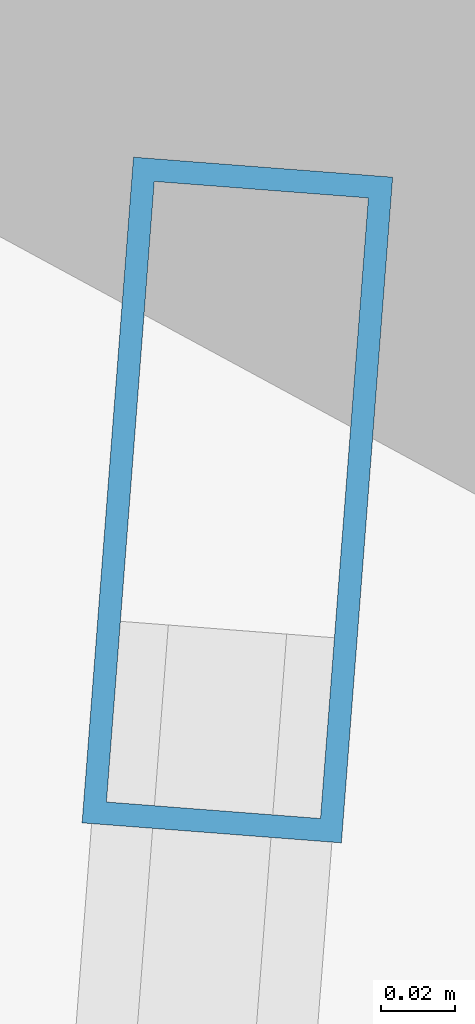
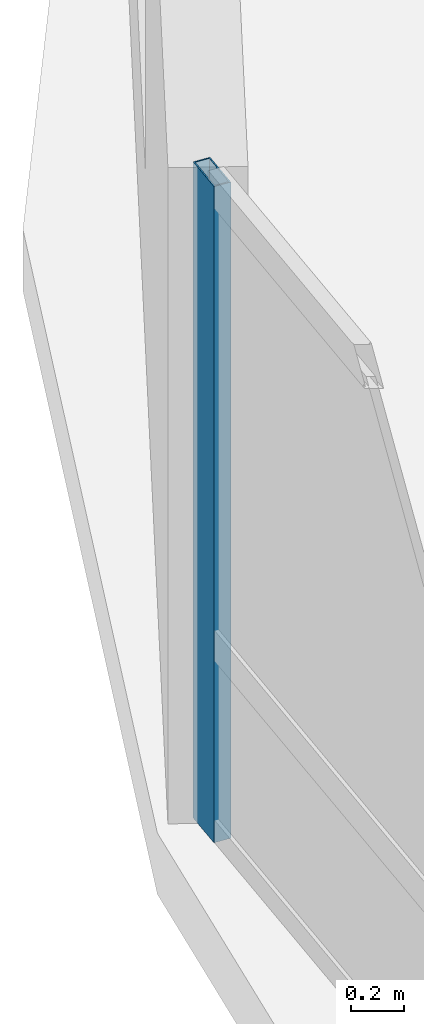
# One storey, part 6 of 17: 1 member, 1 element without a shape of its own.
"""IFC4 building model written with IfcOpenShell, lengths in metres."""

import ifcopenshell
import ifcopenshell.guid

model = None  # the IFC model being written
_history = None  # IfcOwnerHistory: only IFC2X3 demands one
_inside = {}  # id of a spatial element -> (the spatial element, [elements in it])
_under = {}  # id of a project, library or spatial element -> (it, [spatial elements below it])
_declared = {}  # id of a project -> (the project, [libraries it declares])
_typed = {}  # id of a type object -> (the type object, [elements of that type])
_made_of = {}  # id of a material, layer set ... -> (it, [elements and type objects made of it])


def new_model(schema):
    """Start an empty IFC model of exactly this schema.

    Asked for "IFC4X3", IfcOpenShell would pick the latest addendum, in which some entities
    have other attributes; the version numbers below select the first issue.
    IFC2X3 requires an IfcOwnerHistory on every rooted entity: one is made here for all.
    """
    global model, _history
    if schema == "IFC4X3":
        model = ifcopenshell.file(schema_version=(4, 3, 0, 0))
    else:
        model = ifcopenshell.file(schema=schema)
    _inside.clear()
    _under.clear()
    _declared.clear()
    _typed.clear()
    _made_of.clear()
    _history = None
    if model.schema == "IFC2X3":
        org = make("IfcOrganization", Name="unknown")
        user = make(
            "IfcPersonAndOrganization",
            ThePerson=make("IfcPerson", FamilyName="unknown"),
            TheOrganization=org,
        )
        app = make(
            "IfcApplication",
            ApplicationDeveloper=org,
            Version="unknown",
            ApplicationFullName="unknown",
            ApplicationIdentifier="unknown",
        )
        _history = make(
            "IfcOwnerHistory",
            OwningUser=user,
            OwningApplication=app,
            ChangeAction="ADDED",
            CreationDate=0,
        )
    return model


def make(cls, **values):
    """One entity of the class cls with the attributes given. An attribute that is None is left unset."""
    return model.create_entity(
        cls, **{name: value for name, value in values.items() if value is not None}
    )


def rooted(cls, **values):
    """An entity with a GlobalId (a new one), such as an element, a storey or a relation."""
    return make(cls, GlobalId=ifcopenshell.guid.new(), OwnerHistory=_history, **values)


def si_unit(unit_type, name, prefix=None):
    """IfcSIUnit, for example si_unit("LENGTHUNIT", "METRE", prefix="MILLI")."""
    return make("IfcSIUnit", UnitType=unit_type, Prefix=prefix, Name=name)


def assignment(units):
    """IfcUnitAssignment: the units of a project."""
    return None if units is None else make("IfcUnitAssignment", Units=units)


def point(xyz):
    """IfcCartesianPoint."""
    return None if xyz is None else make("IfcCartesianPoint", Coordinates=xyz)


def direction(xyz):
    """IfcDirection."""
    return None if xyz is None else make("IfcDirection", DirectionRatios=xyz)


def frame(location, z_axis=None, x_axis=None):
    """IfcAxis2Placement3D, a coordinate frame: its origin and axes. An axis left out is left unset."""
    return make(
        "IfcAxis2Placement3D",
        Location=point(location),
        Axis=direction(z_axis),
        RefDirection=direction(x_axis),
    )


def frame_2d(location, x_axis=None):
    """IfcAxis2Placement2D, a coordinate frame in the plane: its origin and x axis."""
    return make(
        "IfcAxis2Placement2D", Location=point(location), RefDirection=direction(x_axis)
    )


def origin():
    """The frame at (0, 0, 0) with its axes left unset."""
    return frame((0.0, 0.0, 0.0))


def origin_2d():
    """The frame at (0, 0) in the plane with its x axis left unset."""
    return frame_2d((0.0, 0.0))


def place(relative_to, where):
    """IfcLocalPlacement: puts the frame where relative to a parent placement (None: the world)."""
    return make(
        "IfcLocalPlacement", PlacementRelTo=relative_to, RelativePlacement=where
    )


def context(
    kind, dimensions, precision=None, world=None, true_north=None, identifier=None
):
    """IfcGeometricRepresentationContext, for example the 3D "Model" context."""
    return make(
        "IfcGeometricRepresentationContext",
        ContextIdentifier=identifier,
        ContextType=kind,
        CoordinateSpaceDimension=dimensions,
        Precision=precision,
        WorldCoordinateSystem=world,
        TrueNorth=true_north,
    )


def subcontext(parent, identifier, kind, view, scale=None):
    """IfcGeometricRepresentationSubContext, for example "Body" below "Model"."""
    return make(
        "IfcGeometricRepresentationSubContext",
        ContextIdentifier=identifier,
        ContextType=kind,
        ParentContext=parent,
        TargetScale=scale,
        TargetView=view,
    )


def project(units=None, contexts=None):
    """IfcProject with its units and contexts."""
    return rooted(
        "IfcProject",
        Name="project",
        RepresentationContexts=contexts,
        UnitsInContext=assignment(units),
    )


def spatial(cls, under=None, at=None, **own):
    """A site, building, storey or space (cls), placed at a placement, below another one or the project."""
    s = rooted(cls, ObjectPlacement=at, **own)
    if under is not None:
        _under.setdefault(under.id(), (under, []))[1].append(s)
    return s


def profile(cls, at=None, kind="AREA", **sizes):
    """A parametric profile (cls). Its sizes go by their IFC names, for example OverallWidth=200.0."""
    return make(cls, ProfileType=kind, Position=at, **sizes)


def hollow_rectangle(**sizes):
    """IfcRectangleHollowProfileDef."""
    return profile("IfcRectangleHollowProfileDef", **sizes)


def extrude(swept, where, along, depth):
    """IfcExtrudedAreaSolid: the profile swept, set in the frame where, extruded along a direction by depth."""
    return make(
        "IfcExtrudedAreaSolid",
        SweptArea=swept,
        Position=where,
        ExtrudedDirection=direction(along),
        Depth=depth,
    )


def shape(context_of_items, identifier, shape_type, items):
    """IfcShapeRepresentation: the items that make up one representation, for example the "Body"."""
    return make(
        "IfcShapeRepresentation",
        ContextOfItems=context_of_items,
        RepresentationIdentifier=identifier,
        RepresentationType=shape_type,
        Items=items,
    )


def material(Name=None, Category=None):
    """IfcMaterial."""
    return make("IfcMaterial", Name=Name, Category=Category)


def layer(
    of_material, thickness, ventilated=None, Name=None, Category=None, Priority=None
):
    """IfcMaterialLayer: one layer of a wall or slab, of a material (None: an air gap)."""
    return make(
        "IfcMaterialLayer",
        Material=of_material,
        LayerThickness=thickness,
        IsVentilated=ventilated,
        Name=Name,
        Category=Category,
        Priority=Priority,
    )


def layer_set(layers, Name=None):
    """IfcMaterialLayerSet."""
    return make("IfcMaterialLayerSet", MaterialLayers=layers, LayerSetName=Name)


def material_profile(
    of_material, cross_section, Name=None, Category=None, Priority=None
):
    """IfcMaterialProfile: a cross section and its material."""
    return make(
        "IfcMaterialProfile",
        Name=Name,
        Material=of_material,
        Profile=cross_section,
        Priority=Priority,
        Category=Category,
    )


def profile_set(profiles, Name=None, composite=None):
    """IfcMaterialProfileSet."""
    return make(
        "IfcMaterialProfileSet",
        Name=Name,
        MaterialProfiles=profiles,
        CompositeProfile=composite,
    )


def made_of(thing, what):
    """Note that an element or type object is made of a material, layer set ...; save() writes the relation."""
    if what is not None:
        _made_of.setdefault(what.id(), (what, []))[1].append(thing)
    return thing


def type_object(cls, material=None, **own):
    """A type object (cls), such as IfcWallType, which elements share."""
    return made_of(rooted(cls, **own), material)


def element(
    cls,
    number,
    at=None,
    inside=None,
    cuts=None,
    type_object=None,
    material=None,
    context=None,
    identifier="Body",
    shape_type=None,
    held_by="IfcProductDefinitionShape",
    body=None,
    shapes=None,
    **own,
):
    """One element of the class cls, such as IfcWall. Its Tag is "e" and its number.

    at: its placement. inside: the storey or other place that contains it. cuts: it is an
    opening in that element (IfcRelVoidsElement). A single representation is given by context,
    identifier, shape_type and body (its items); several are given by shapes. held_by: the class
    of the entity that holds the representations. save() writes the other relations.
    """
    e = rooted(cls, Tag="e%d" % number, ObjectPlacement=at, **own)
    if body is not None:
        shapes = [shape(context, identifier, shape_type, body)]
    if shapes is not None:
        e.Representation = make(held_by, Representations=shapes)
    if inside is not None:
        _inside.setdefault(inside.id(), (inside, []))[1].append(e)
    if cuts is not None:
        rooted(
            "IfcRelVoidsElement", RelatingBuildingElement=cuts, RelatedOpeningElement=e
        )
    if type_object is not None:
        _typed.setdefault(type_object.id(), (type_object, []))[1].append(e)
    return made_of(e, material)


def aggregate(whole, parts):
    """IfcRelAggregates: a whole, such as a stair, and the parts it consists of."""
    return rooted("IfcRelAggregates", RelatingObject=whole, RelatedObjects=parts)


def save(model, path):
    """Write the relations noted so far, then the file.

    IfcRelAggregates (storeys below a building ...), IfcRelContainedInSpatialStructure (elements
    in a storey), IfcRelDefinesByType, IfcRelAssociatesMaterial and IfcRelDeclares: one each for
    every whole, place, type object, material and project.
    """
    for whole, parts in _under.values():
        aggregate(whole, parts)
    for where, things in _inside.values():
        rooted(
            "IfcRelContainedInSpatialStructure",
            RelatedElements=things,
            RelatingStructure=where,
        )
    for kind, things in _typed.values():
        rooted("IfcRelDefinesByType", RelatedObjects=things, RelatingType=kind)
    for what, things in _made_of.values():
        rooted("IfcRelAssociatesMaterial", RelatedObjects=things, RelatingMaterial=what)
    for by, libraries in _declared.values():
        rooted("IfcRelDeclares", RelatingContext=by, RelatedDefinitions=libraries)
    model.write(path)


model = new_model("IFC4")

# Units and contexts
model_context = context("Model", 3, precision=1e-05, world=origin(), true_north=direction((0.0, 1.0)))
body_context = subcontext(model_context, "Body", "Model", "MODEL_VIEW")
ifc_project = project(units=[si_unit("LENGTHUNIT", "METRE"), si_unit("AREAUNIT", "SQUARE_METRE"), si_unit("VOLUMEUNIT", "CUBIC_METRE"), si_unit("PLANEANGLEUNIT", "RADIAN"), si_unit("MASSUNIT", "GRAM", prefix="KILO"), si_unit("THERMODYNAMICTEMPERATUREUNIT", "KELVIN"), si_unit("POWERUNIT", "WATT")], contexts=[model_context])

# Site, building, storey
site_placement = place(None, origin())
site = spatial("IfcSite", under=ifc_project, at=site_placement, CompositionType="ELEMENT")
building_placement = place(site_placement, origin())
building = spatial("IfcBuilding", under=site, at=building_placement, Name="Ocrelia Relay Tower", CompositionType="ELEMENT")
storey_placement = place(building_placement, frame((0.0, 0.0, 67.800048828125)))
storey = spatial("IfcBuildingStorey", under=building, at=storey_placement, Name="L15", CompositionType="ELEMENT", Elevation=67.800048828125)

# Curtain wall, member
ifc_material_1 = material(Name="Aluminium and solar-control low-E glass", Category="aluminium")
ifc_layer = layer(ifc_material_1, 0.179931640625, Name="Aluminium and solar-control low-E glass")
ifc_layer_set = layer_set([ifc_layer], Name="Aluminium and solar-control low-E glass")
curtain_wall_type = type_object("IfcCurtainWallType", Name="CW-SYS-Z1-DATA", PredefinedType="NOTDEFINED", material=ifc_layer_set)
curtain_wall_placement = place(storey_placement, origin())
curtain_wall = element("IfcCurtainWall", 1, at=curtain_wall_placement, inside=storey, type_object=curtain_wall_type, Name="L15 Elliptical Tower Curtain Wall Bay 09", PredefinedType="NOTDEFINED")
ifc_material_2 = material(Name="Anodised bronze aluminium", Category="aluminium")
ifc_material_profile = material_profile(ifc_material_2, hollow_rectangle(XDim=0.070068359375, YDim=0.179931640625, WallThickness=0.006103515625, at=origin_2d()), Name="CW-MUL-180x70")
ifc_profile_set = profile_set([ifc_material_profile], Name="Anodised bronze aluminium")
member_type = type_object("IfcMemberType", Name="CW-SYS-Z1-DATA-MUL", PredefinedType="MULLION", material=ifc_profile_set)
member_placement = place(storey_placement, frame((7.0810546875, 29.285400390625, 0.0), z_axis=(0.0, 0.0, 1.0), x_axis=(0.997039436731, -0.076891882558, 0.0)))
member = element("IfcMember", 2, at=member_placement, type_object=member_type, Name="CW-Z1 mullion 1", PredefinedType="MULLION", context=body_context, shape_type="SweptSolid", body=[
    extrude(hollow_rectangle(XDim=0.070068359375, YDim=0.179931640625, WallThickness=0.006103515625, at=origin_2d()), origin(), (0.0, 0.0, 1.0), 3.0),
])
aggregate(curtain_wall, [member])

save(model, "model.ifc")
